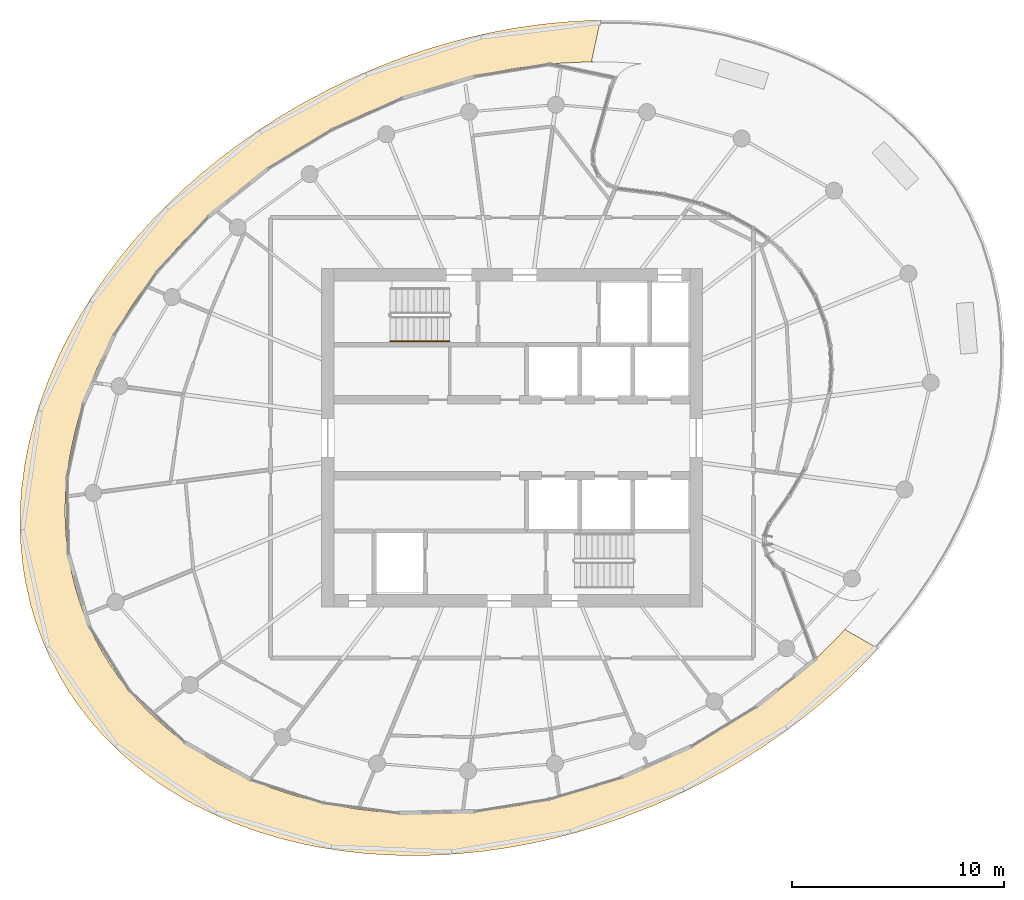
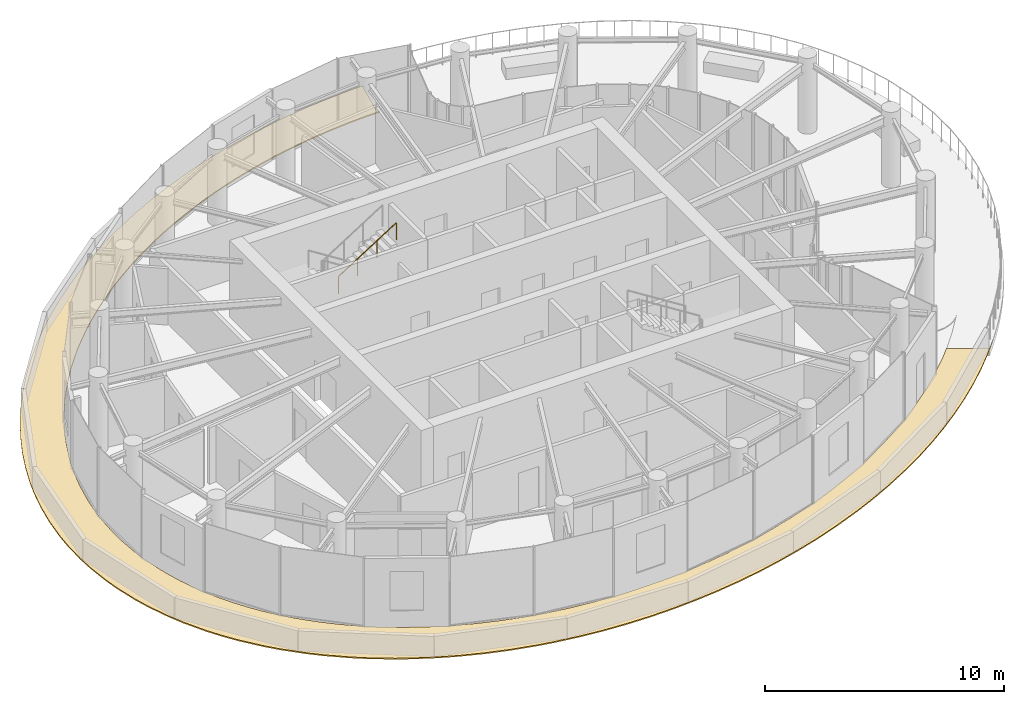
# One storey, part 16 of 19: 1 covering, 1 railing.
"""IFC4 building model written with IfcOpenShell, lengths in metres."""

from ifc_helpers import new_model, si_unit, direction, frame, origin, origin_2d, place, context, subcontext, project, spatial, line, indexed_curve, circle, outline, extrude, material, layer, layer_set, type_object, element, save


model = new_model("IFC4")

# Units and contexts
model_context = context("Model", 3, precision=1e-05, world=origin(), true_north=direction((0.0, 1.0)))
body_context = subcontext(model_context, "Body", "Model", "MODEL_VIEW")
ifc_project = project(units=[si_unit("LENGTHUNIT", "METRE"), si_unit("AREAUNIT", "SQUARE_METRE"), si_unit("VOLUMEUNIT", "CUBIC_METRE"), si_unit("PLANEANGLEUNIT", "RADIAN"), si_unit("MASSUNIT", "GRAM", prefix="KILO")], contexts=[model_context])

# Site, building, storey
site_placement = place(None, origin())
site = spatial("IfcSite", under=ifc_project, at=site_placement, CompositionType="ELEMENT")
building_placement = place(site_placement, origin())
building = spatial("IfcBuilding", under=site, at=building_placement, Name="Spindrift Exchange Tower", CompositionType="ELEMENT")
storey_placement = place(building_placement, frame((0.0, 0.0, 234.5)))
storey = spatial("IfcBuildingStorey", under=building, at=storey_placement, Name="L57", CompositionType="ELEMENT", Elevation=234.5)

# Covering
ifc_material_1 = material(Name="Bituminous roofing membrane with gravel ballast")
ifc_layer = layer(ifc_material_1, 0.06005859375)
ifc_layer_set = layer_set([ifc_layer], Name="LEDGE ROOFING 60")
covering_type = type_object("IfcCoveringType", Name="LEDGE ROOFING 60", PredefinedType="ROOFING", material=ifc_layer_set)
covering_placement = place(storey_placement, origin())
element("IfcCovering", 1, at=covering_placement, inside=storey, type_object=covering_type, Name="L57 Ledge Roofing 1", PredefinedType="ROOFING", context=body_context, shape_type="SweptSolid", body=[
    extrude(outline(indexed_curve([(69.0263671875, 37.763671875), (68.2421875, 36.9599609375), (67.42578125, 36.1875), (66.580078125, 35.447265625), (65.7060546875, 34.740234375), (64.806640625, 34.06640625), (63.8828125, 33.42578125), (62.9365234375, 32.8203125), (61.96875, 32.2490234375), (60.6474609375, 31.54296875), (59.6357421875, 31.0546875), (58.6064453125, 30.6025390625), (57.2109375, 30.05859375), (56.146484375, 29.6943359375), (55.0712890625, 29.369140625), (53.984375, 29.0849609375), (52.88671875, 28.83984375), (51.78125, 28.6376953125), (50.669921875, 28.478515625), (49.5517578125, 28.36328125), (48.4296875, 28.29296875), (47.306640625, 28.26953125), (46.18359375, 28.294921875), (45.0615234375, 28.369140625), (43.9453125, 28.4951171875), (42.8359375, 28.6728515625), (42.1015625, 28.822265625), (41.0107421875, 29.0927734375), (39.9365234375, 29.4189453125), (38.880859375, 29.8046875), (38.1904296875, 30.095703125), (37.1767578125, 30.58203125), (36.5185546875, 30.9404296875), (35.5625, 31.529296875), (34.9462890625, 31.95703125), (34.0615234375, 32.6484375), (33.498046875, 33.1435546875), (32.7021484375, 33.935546875), (32.203125, 34.49609375), (31.51171875, 35.3798828125), (31.087890625, 35.9990234375), (30.6982421875, 36.638671875), (30.1767578125, 37.6337890625), (29.873046875, 38.318359375), (29.486328125, 39.3720703125), (29.2734375, 40.091796875), (29.025390625, 41.1865234375), (28.90625, 41.9267578125), (28.7958984375, 43.0439453125), (28.7666015625, 43.7939453125), (28.7900390625, 44.9169921875), (28.84765625, 45.6640625), (28.9951171875, 46.77734375), (29.2138671875, 47.87890625), (29.498046875, 48.9658203125), (29.7236328125, 49.681640625), (30.111328125, 50.736328125), (30.5546875, 51.767578125), (31.0517578125, 52.775390625), (31.5986328125, 53.7578125), (32.19140625, 54.7119140625), (32.828125, 55.6376953125), (33.505859375, 56.5341796875), (34.2216796875, 57.400390625), (34.9736328125, 58.236328125), (35.7578125, 59.0400390625), (36.57421875, 59.8125), (37.419921875, 60.552734375), (38.2939453125, 61.259765625), (39.193359375, 61.93359375), (40.1171875, 62.57421875), (41.0634765625, 63.1796875), (42.03125, 63.7509765625), (43.3525390625, 64.45703125), (44.3642578125, 64.9453125), (45.3935546875, 65.3974609375), (46.7890625, 65.94140625), (47.853515625, 66.3056640625), (48.9287109375, 66.630859375), (50.015625, 66.9150390625), (51.11328125, 67.16015625), (52.21875, 67.3623046875), (53.3310546875, 67.521484375), (54.4482421875, 67.63671875), (55.5703125, 67.70703125), (56.1943359375, 67.7197265625), (56.1728515625, 67.7109375), (55.763671875, 65.8115234375), (55.77734375, 65.765625), (55.875, 65.7509765625), (54.96875, 65.7275390625), (54.2919921875, 65.6875), (53.279296875, 65.59375), (52.271484375, 65.4599609375), (51.26953125, 65.287109375), (50.60546875, 65.1513671875), (49.6162109375, 64.916015625), (48.63671875, 64.6455078125), (47.98828125, 64.4453125), (47.02734375, 64.115234375), (46.078125, 63.7509765625), (45.142578125, 63.353515625), (44.5263671875, 63.0693359375), (43.6162109375, 62.6162109375), (42.72265625, 62.130859375), (41.84765625, 61.61328125), (41.275390625, 61.2509765625), (40.4326171875, 60.6806640625), (39.8828125, 60.2841796875), (39.078125, 59.6630859375), (38.5556640625, 59.232421875), (37.7919921875, 58.560546875), (37.296875, 58.0966796875), (36.580078125, 57.3759765625), (36.1181640625, 56.8798828125), (35.453125, 56.111328125), (35.02734375, 55.5830078125), (34.419921875, 54.7685546875), (34.03515625, 54.2099609375), (33.4921875, 53.3505859375), (33.1533203125, 52.7626953125), (32.6826171875, 51.8623046875), (32.39453125, 51.2490234375), (32.0048828125, 50.3095703125), (31.7734375, 49.6728515625), (31.5673828125, 49.0263671875), (31.38671875, 48.373046875), (31.166015625, 47.380859375), (31.0537109375, 46.712890625), (30.970703125, 46.0390625), (30.91796875, 45.3642578125), (30.896484375, 44.6865234375), (30.90625, 44.0087890625), (30.94921875, 43.33203125), (31.0244140625, 42.658203125), (31.2001953125, 41.658203125), (31.3603515625, 40.9990234375), (31.5537109375, 40.3486328125), (31.78125, 39.7109375), (32.041015625, 39.083984375), (32.333984375, 38.4736328125), (32.658203125, 37.8779296875), (33.0126953125, 37.30078125), (33.396484375, 36.7421875), (33.80859375, 36.2041015625), (34.2470703125, 35.6865234375), (34.7109375, 35.1923828125), (35.197265625, 34.720703125), (35.7060546875, 34.2724609375), (36.2353515625, 33.8486328125), (37.0634765625, 33.259765625), (37.927734375, 32.724609375), (38.82421875, 32.2451171875), (39.748046875, 31.8203125), (40.6943359375, 31.44921875), (41.66015625, 31.130859375), (42.640625, 30.86328125), (43.6337890625, 30.6455078125), (44.63671875, 30.4765625), (45.6455078125, 30.3544921875), (46.66015625, 30.279296875), (47.6767578125, 30.2470703125), (49.03125, 30.2724609375), (50.0458984375, 30.3388671875), (51.392578125, 30.4912109375), (52.3974609375, 30.6513671875), (53.7255859375, 30.9228515625), (54.7119140625, 31.169921875), (56.0107421875, 31.5546875), (57.291015625, 32.001953125), (58.2353515625, 32.3779296875), (59.1669921875, 32.787109375), (60.3837890625, 33.3837890625), (61.27734375, 33.869140625), (62.439453125, 34.56640625), (63.5673828125, 35.3193359375), (64.3876953125, 35.919921875), (65.4443359375, 36.767578125), (66.208984375, 37.439453125), (67.18359375, 38.380859375), (67.8056640625, 39.0400390625), (67.751953125, 38.9619140625), (67.77734375, 38.9169921875), (69.2529296875, 38.0673828125), (69.294921875, 38.0634765625), (69.76953125, 38.58984375)], segments=[line(1, 2, 3, 4, 5, 6, 7, 8, 9, 10, 11, 12, 13, 14, 15, 16, 17, 18, 19, 20, 21, 22, 23, 24, 25, 26, 27, 28, 29, 30, 31, 32, 33, 34, 35, 36, 37, 38, 39, 40, 41, 42, 43, 44, 45, 46, 47, 48, 49, 50, 51, 52, 53, 54, 55, 56, 57, 58, 59, 60, 61, 62, 63, 64, 65, 66, 67, 68, 69, 70, 71, 72, 73, 74, 75, 76, 77, 78, 79, 80, 81, 82, 83, 84, 85, 86, 87, 88, 89, 90, 91, 92, 93, 94, 95, 96, 97, 98, 99, 100, 101, 102, 103, 104, 105, 106, 107, 108, 109, 110, 111, 112, 113, 114, 115, 116, 117, 118, 119, 120, 121, 122, 123, 124, 125, 126, 127, 128, 129, 130, 131, 132, 133, 134, 135, 136, 137, 138, 139, 140, 141, 142, 143, 144, 145, 146, 147, 148, 149, 150, 151, 152, 153, 154, 155, 156, 157, 158, 159, 160, 161, 162, 163, 164, 165, 166, 167, 168, 169, 170, 171, 172, 173, 174, 175, 176, 177, 178, 179, 180, 181, 182, 183, 184, 185, 186, 1)], self_intersect=False)), origin(), (0.0, 0.0, 1.0), 0.06005859375),
])

# Railing
ifc_material_2 = material(Name="Steel tubular handrail", Category="steel")
railing_type = type_object("IfcRailingType", Name="RL-STAIR-HAND", PredefinedType="HANDRAIL", material=ifc_material_2)
railing_placement = place(storey_placement, frame((46.25, 52.550048828125, 2.127197265625)))
element("IfcRailing", 2, at=railing_placement, inside=storey, type_object=railing_type, Name="L57 ST1 stair handrail 2", PredefinedType="HANDRAIL", context=body_context, shape_type="SweptSolid", body=[
    extrude(circle(Radius=0.02392578125, at=origin_2d()), frame((0.0, 0.0, 0.8759765625), z_axis=(0.844908973607, 0.0, 0.534910110503), x_axis=(0.0, 1.0, 0.0)), (0.0, 0.0, 1.0), 3.31396484375),
    extrude(circle(Radius=0.02099609375, at=origin_2d()), origin(), (0.0, 0.0, 1.0), 0.851806640625),
    extrude(circle(Radius=0.02099609375, at=origin_2d()), frame((0.933349609375, 0.0, 0.5908203125)), (0.0, 0.0, 1.0), 0.851806640625),
    extrude(circle(Radius=0.02099609375, at=origin_2d()), frame((1.86669921875, 0.0, 1.181884765625)), (0.0, 0.0, 1.0), 0.851806640625),
    extrude(circle(Radius=0.02099609375, at=origin_2d()), frame((2.800048828125, 0.0, 1.772705078125)), (0.0, 0.0, 1.0), 0.851806640625),
])

save(model, "model.ifc")
